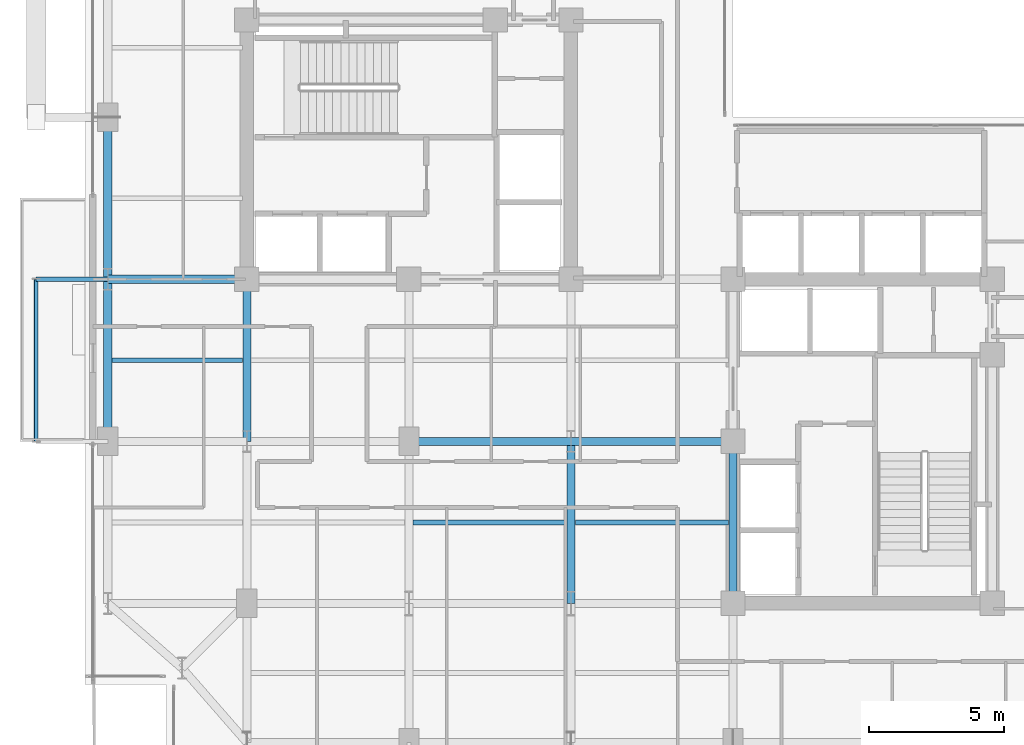
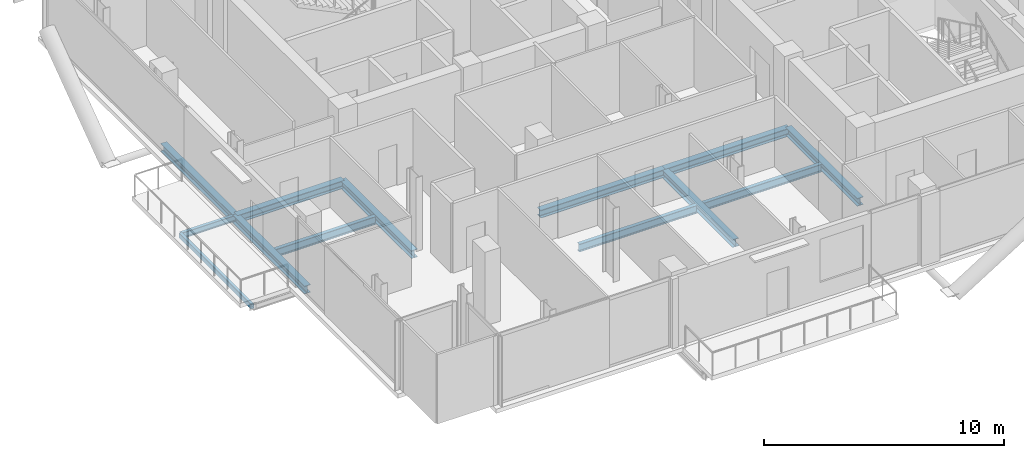
# One storey, part 6 of 22: 13 beams.
"""IFC4 building model written with IfcOpenShell, lengths in metres."""

from ifc_helpers import new_model, si_unit, direction, frame, origin, origin_2d, place, context, subcontext, project, spatial, hollow_rectangle, i_section, extrude, material, material_profile, profile_set, type_object, element, save


model = new_model("IFC4")

# Units and contexts
model_context = context("Model", 3, precision=1e-05, world=origin(), true_north=direction((0.0, 1.0)))
body_context = subcontext(model_context, "Body", "Model", "MODEL_VIEW")
ifc_project = project(units=[si_unit("LENGTHUNIT", "METRE"), si_unit("AREAUNIT", "SQUARE_METRE"), si_unit("VOLUMEUNIT", "CUBIC_METRE"), si_unit("PLANEANGLEUNIT", "RADIAN"), si_unit("MASSUNIT", "GRAM", prefix="KILO"), si_unit("THERMODYNAMICTEMPERATUREUNIT", "KELVIN"), si_unit("POWERUNIT", "WATT")], contexts=[model_context])

# Site, building, storey
site_placement = place(None, origin())
site = spatial("IfcSite", under=ifc_project, at=site_placement, CompositionType="ELEMENT")
building_placement = place(site_placement, origin())
building = spatial("IfcBuilding", under=site, at=building_placement, Name="Svarakhadi Broadcast Tower", CompositionType="ELEMENT")
storey_placement = place(building_placement, frame((0.0, 0.0, 191.699951171875)))
storey = spatial("IfcBuildingStorey", under=building, at=storey_placement, Name="L47", CompositionType="ELEMENT", Elevation=191.699951171875)

# Beams
ifc_material_1 = material(Name="Steel S355J2 (IS 2062 E350C)", Category="steel")
ifc_material_profile_1 = material_profile(ifc_material_1, i_section(OverallWidth=0.179931640625, OverallDepth=0.39990234375, WebThickness=0.008544921875, FlangeThickness=0.013427734375, FilletRadius=0.02099609375, at=origin_2d()), Name="NPB 400x180x66")
ifc_profile_set_1 = profile_set([ifc_material_profile_1], Name="Steel S355J2 (IS 2062 E350C)")
beam_type_1 = type_object("IfcBeamType", Name="Beam_NPB400", PredefinedType="BEAM", material=ifc_profile_set_1)
beam_1_placement = place(storey_placement, frame((1.010009765625, 15.0, -0.409912109375), z_axis=(1.0, 0.0, 0.0), x_axis=(0.0, 1.0, 0.0)))
element("IfcBeam", 1, at=beam_1_placement, inside=storey, type_object=beam_type_1, Name="L47 Secondary Composite Beam SB002", PredefinedType="BEAM", context=body_context, shape_type="SweptSolid", body=[
    extrude(i_section(OverallWidth=0.179931640625, OverallDepth=0.39990234375, WebThickness=0.008544921875, FlangeThickness=0.013427734375, FilletRadius=0.02099609375, at=origin_2d()), origin(), (0.0, 0.0, 1.0), 4.830078125),
])
for number, where, z_axis, x_axis, name in (
    (2, (12.159912109375, 9.0, -0.409912109375), (1.0, 0.0, 0.0), (0.0, 1.0, 0.0), "L47 Secondary Composite Beam SB010"),
    (3, (18.159912109375, 9.0, -0.409912109375), (1.0, 0.0, 0.0), (0.0, 1.0, 0.0), "L47 Secondary Composite Beam SB014"),
):
    element("IfcBeam", number, at=place(storey_placement, frame(where, z_axis=z_axis, x_axis=x_axis)), inside=storey, type_object=beam_type_1, Name=name, PredefinedType="BEAM", context=body_context, shape_type="SweptSolid", body=[
        extrude(i_section(OverallWidth=0.179931640625, OverallDepth=0.39990234375, WebThickness=0.008544921875, FlangeThickness=0.013427734375, FilletRadius=0.02099609375, at=origin_2d()), origin(), (0.0, 0.0, 1.0), 5.68017578125),
    ])
ifc_material_profile_2 = material_profile(ifc_material_1, i_section(OverallWidth=0.300048828125, OverallDepth=0.39990234375, WebThickness=0.013427734375, FlangeThickness=0.02392578125, FilletRadius=0.027099609375, at=origin_2d()), Name="WPB 400x300x155")
ifc_profile_set_2 = profile_set([ifc_material_profile_2], Name="Steel S355J2 (IS 2062 E350C)")
beam_type_2 = type_object("IfcBeamType", Name="Girder_WPB400", PredefinedType="USERDEFINED", material=ifc_profile_set_2)
for number, where, z_axis, x_axis, name in (
    (4, (12.0, 12.0, -0.409912109375), (1.0, 0.0, 0.0), (0.0, 1.0, 0.0), "L47 Primary E-W Girder G017"),
    (5, (18.0, 12.0, -0.409912109375), (1.0, 0.0, 0.0), (0.0, 1.0, 0.0), "L47 Primary E-W Girder G018"),
):
    element("IfcBeam", number, at=place(storey_placement, frame(where, z_axis=z_axis, x_axis=x_axis)), inside=storey, type_object=beam_type_2, Name=name, ObjectType="GIRDER", PredefinedType="USERDEFINED", context=body_context, shape_type="SweptSolid", body=[
        extrude(i_section(OverallWidth=0.300048828125, OverallDepth=0.39990234375, WebThickness=0.013427734375, FlangeThickness=0.02392578125, FilletRadius=0.027099609375, at=origin_2d()), origin(), (0.0, 0.0, 1.0), 6.0),
    ])
beam_2_placement = place(storey_placement, frame((0.85009765625, 18.0, -0.409912109375), z_axis=(1.0, 0.0, 0.0), x_axis=(0.0, 1.0, 0.0)))
element("IfcBeam", 6, at=beam_2_placement, inside=storey, type_object=beam_type_2, Name="L47 Primary E-W Girder G020", ObjectType="GIRDER", PredefinedType="USERDEFINED", context=body_context, shape_type="SweptSolid", body=[
    extrude(i_section(OverallWidth=0.300048828125, OverallDepth=0.39990234375, WebThickness=0.013427734375, FlangeThickness=0.02392578125, FilletRadius=0.027099609375, at=origin_2d()), origin(), (0.0, 0.0, 1.0), 5.14990234375),
])
for number, where, z_axis, x_axis, name in (
    (7, (0.85009765625, 12.0, -0.409912109375), (0.0, 1.0, 0.0), (-1.0, 0.0, 0.0), "L47 Primary N-S Girder G034"),
    (8, (0.85009765625, 18.0, -0.409912109375), (0.0, 1.0, 0.0), (-1.0, 0.0, 0.0), "L47 Primary N-S Girder G035"),
    (9, (6.0, 12.0, -0.409912109375), (0.0, 1.0, 0.0), (-1.0, 0.0, 0.0), "L47 Primary N-S Girder G039"),
    (10, (18.0, 6.0, -0.409912109375), (0.0, 1.0, 0.0), (-1.0, 0.0, 0.0), "L47 Primary N-S Girder G047"),
    (11, (24.0, 6.0, -0.409912109375), (0.0, 1.0, 0.0), (-1.0, 0.0, 0.0), "L47 Primary N-S Girder G052"),
):
    element("IfcBeam", number, at=place(storey_placement, frame(where, z_axis=z_axis, x_axis=x_axis)), inside=storey, type_object=beam_type_2, Name=name, ObjectType="GIRDER", PredefinedType="USERDEFINED", context=body_context, shape_type="SweptSolid", body=[
        extrude(i_section(OverallWidth=0.300048828125, OverallDepth=0.39990234375, WebThickness=0.013427734375, FlangeThickness=0.02392578125, FilletRadius=0.027099609375, at=origin_2d()), origin(), (0.0, 0.0, 1.0), 6.0),
    ])
ifc_material_profile_3 = material_profile(ifc_material_1, i_section(OverallWidth=0.14990234375, OverallDepth=0.300048828125, WebThickness=0.007080078125, FlangeThickness=0.0107421875, FilletRadius=0.014892578125, at=origin_2d()), Name="NPB 300x150x37")
ifc_profile_set_3 = profile_set([ifc_material_profile_3], Name="Steel S355J2 (IS 2062 E350C)")
beam_type_3 = type_object("IfcBeamType", Name="Spandrel_NPB300", PredefinedType="SPANDREL", material=ifc_profile_set_3)
beam_3_placement = place(storey_placement, frame((0.85009765625, 18.0, -0.375), z_axis=(-1.0, 0.0, 0.0), x_axis=(0.0, -1.0, 0.0)))
element("IfcBeam", 12, at=beam_3_placement, inside=storey, type_object=beam_type_3, Name="L47 Balcony Cantilever Bracket 2B", PredefinedType="SPANDREL", context=body_context, shape_type="SweptSolid", body=[
    extrude(i_section(OverallWidth=0.14990234375, OverallDepth=0.300048828125, WebThickness=0.007080078125, FlangeThickness=0.0107421875, FilletRadius=0.014892578125, at=origin_2d()), origin(), (0.0, 0.0, 1.0), 2.650146484375),
])
ifc_material_2 = material(Name="Steel S460ML (IS 2062 E450BR)", Category="steel")
ifc_material_profile_4 = material_profile(ifc_material_2, hollow_rectangle(XDim=0.14990234375, YDim=0.25, WallThickness=0.010009765625, InnerFilletRadius=0.010009765625, OuterFilletRadius=0.02001953125, at=origin_2d()), Name="RHS 250x150x10")
ifc_profile_set_4 = profile_set([ifc_material_profile_4], Name="Steel S460ML (IS 2062 E450BR)")
beam_type_4 = type_object("IfcBeamType", Name="Spandrel_RHS250", PredefinedType="SPANDREL", material=ifc_profile_set_4)
beam_4_placement = place(storey_placement, frame((-1.800048828125, 12.0, -0.349853515625), z_axis=(0.0, 1.0, 0.0), x_axis=(-1.0, 0.0, 0.0)))
element("IfcBeam", 13, at=beam_4_placement, inside=storey, type_object=beam_type_4, Name="L47 Balcony Outer Spandrel 2F", PredefinedType="SPANDREL", context=body_context, shape_type="SweptSolid", body=[
    extrude(hollow_rectangle(XDim=0.14990234375, YDim=0.25, WallThickness=0.010009765625, InnerFilletRadius=0.010009765625, OuterFilletRadius=0.02001953125, at=origin_2d()), origin(), (0.0, 0.0, 1.0), 6.0),
])

save(model, "model.ifc")
